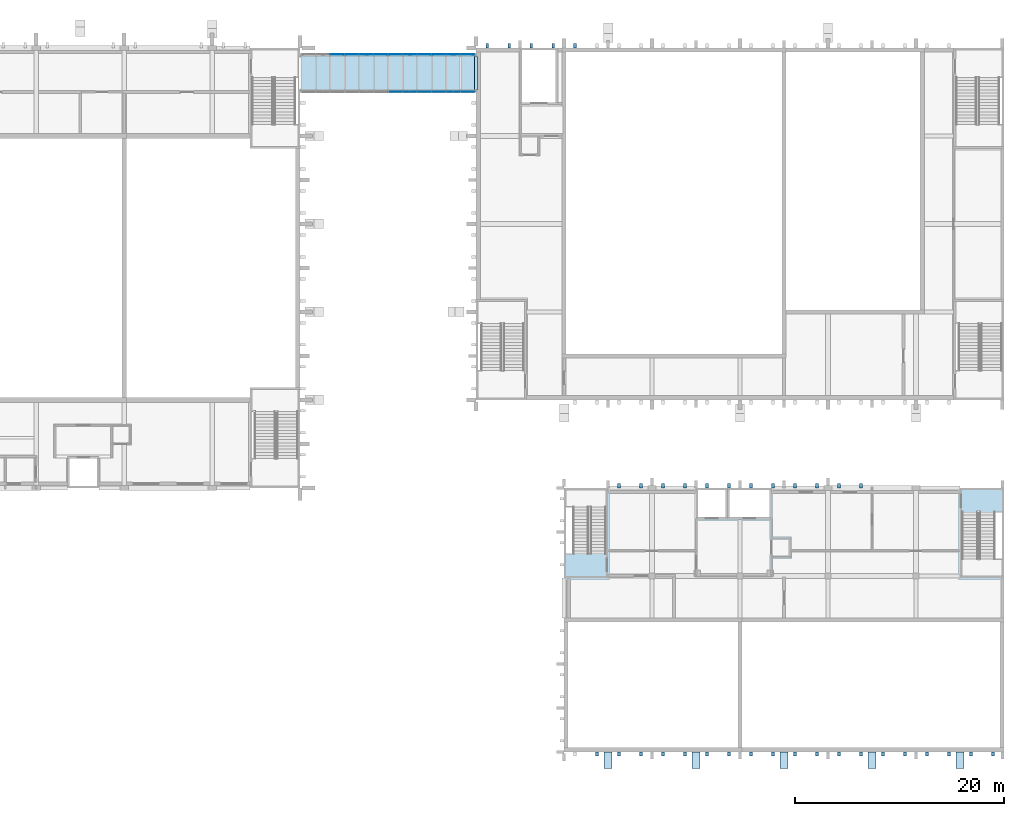
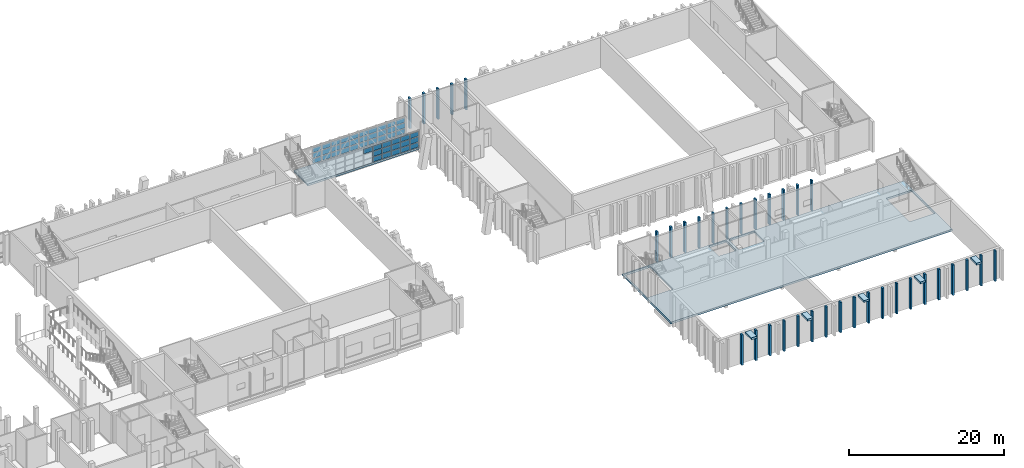
# One storey, part 26 of 91: 83 plates, 7 slabs, 2 elements without a shape of their own.
"""IFC4 building model written with IfcOpenShell, lengths in metres."""

from ifc_helpers import new_model, si_unit, direction, frame, origin, origin_2d, place, context, subcontext, project, spatial, polyline, rectangle, outline, extrude, material, layer, layer_set, type_object, element, aggregate, save


model = new_model("IFC4")

# Units and contexts
model_context = context("Model", 3, precision=1e-05, world=origin(), true_north=direction((0.0, 1.0)))
body_context = subcontext(model_context, "Body", "Model", "MODEL_VIEW")
ifc_project = project(units=[si_unit("LENGTHUNIT", "METRE"), si_unit("AREAUNIT", "SQUARE_METRE"), si_unit("VOLUMEUNIT", "CUBIC_METRE"), si_unit("PLANEANGLEUNIT", "RADIAN"), si_unit("MASSUNIT", "GRAM", prefix="KILO")], contexts=[model_context])

# Site, building, storey
site_placement = place(None, origin())
site = spatial("IfcSite", under=ifc_project, at=site_placement, CompositionType="ELEMENT")
building_placement = place(site_placement, origin())
building = spatial("IfcBuilding", under=site, at=building_placement, Name="Kiln Court Media Centre", CompositionType="ELEMENT")
storey_placement = place(building_placement, frame((0.0, 0.0, 5.39990234375)))
storey = spatial("IfcBuildingStorey", under=building, at=storey_placement, Name="L01", CompositionType="ELEMENT", Elevation=5.39990234375)

# Slabs
ifc_material_1 = material(Name="Concrete C30/37", Category="concrete")
ifc_layer_1 = layer(ifc_material_1, 0.300048828125)
ifc_layer_set_1 = layer_set([ifc_layer_1], Name="Concrete C30/37 bridge deck slab 300")
slab_type_1 = type_object("IfcSlabType", Name="Concrete C30/37 bridge deck slab 300", PredefinedType="FLOOR", material=ifc_layer_set_1)
slab_1_placement = place(storey_placement, frame((0.0, 0.0, -0.2998046875)))
element("IfcSlab", 1, at=slab_1_placement, inside=storey, type_object=slab_type_1, Name="bridge BR-3 deck bridge deck slab", PredefinedType="FLOOR", context=body_context, shape_type="SweptSolid", body=[
    extrude(outline(polyline([(100.89990234375, 63.0), (117.5, 63.0), (117.5, 66.60009765625), (100.89990234375, 66.60009765625), (100.89990234375, 63.0)])), origin(), (0.0, 0.0, 1.0), 0.2998046875),
])
ifc_material_2 = material(Name="Concrete C30/37", Category="concrete")
ifc_layer_2 = layer(ifc_material_2, 0.300048828125)
ifc_layer_set_2 = layer_set([ifc_layer_2], Name="Concrete C30/37 floor slab 300")
slab_type_2 = type_object("IfcSlabType", Name="Concrete C30/37 floor slab 300", PredefinedType="FLOOR", material=ifc_layer_set_2)
slab_2_placement = place(storey_placement, frame((0.0, 0.0, -0.2998046875)))
element("IfcSlab", 2, at=slab_2_placement, inside=storey, type_object=slab_type_2, Name="L01-SL-1008", PredefinedType="FLOOR", context=body_context, shape_type="SweptSolid", body=[
    extrude(outline(polyline([(126.0, 12.60009765625), (126.0, 25.199951171875), (168.0, 25.199951171875), (168.0, 12.60009765625), (126.0, 12.60009765625)]), holes=[polyline([(164.0, 16.800048828125), (167.800048828125, 16.800048828125), (167.800048828125, 22.860107421875), (164.0, 22.860107421875), (164.0, 16.800048828125)]), polyline([(126.199951171875, 18.93994140625), (130.0, 18.93994140625), (130.0, 25.0), (126.199951171875, 25.0), (126.199951171875, 18.93994140625)]), polyline([(138.800048828125, 22.39990234375), (141.39990234375, 22.39990234375), (141.39990234375, 25.0), (138.800048828125, 25.0), (138.800048828125, 22.39990234375)]), polyline([(141.800048828125, 22.39990234375), (145.60009765625, 22.39990234375), (145.60009765625, 25.0), (141.800048828125, 25.0), (141.800048828125, 22.39990234375)])]), origin(), (0.0, 0.0, 1.0), 0.2998046875),
])
ifc_material_3 = material(Name="Concrete C30/37", Category="concrete")
ifc_layer_3 = layer(ifc_material_3, 0.300048828125)
ifc_layer_set_3 = layer_set([ifc_layer_3], Name="Concrete C30/37 rib seat slab 300")
slab_type_3 = type_object("IfcSlabType", Name="Concrete C30/37 rib seat slab 300", PredefinedType="FLOOR", material=ifc_layer_set_3)
slab_3_placement = place(storey_placement, frame((0.0, 0.0, 4.5)))
element("IfcSlab", 3, at=slab_3_placement, inside=storey, type_object=slab_type_3, Name="V5 S rib seat slab 1", PredefinedType="FLOOR", context=body_context, shape_type="SweptSolid", body=[
    extrude(outline(polyline([(129.800048828125, 0.0), (130.60009765625, 0.0), (130.60009765625, -1.60009765625), (129.800048828125, -1.60009765625), (129.800048828125, 0.0)])), origin(), (0.0, 0.0, 1.0), 0.300048828125),
])
slab_4_placement = place(storey_placement, frame((0.0, 0.0, 4.5)))
element("IfcSlab", 4, at=slab_4_placement, inside=storey, type_object=slab_type_3, Name="V5 S rib seat slab 2", PredefinedType="FLOOR", context=body_context, shape_type="SweptSolid", body=[
    extrude(outline(polyline([(138.199951171875, 0.0), (139.0, 0.0), (139.0, -1.60009765625), (138.199951171875, -1.60009765625), (138.199951171875, 0.0)])), origin(), (0.0, 0.0, 1.0), 0.300048828125),
])
slab_5_placement = place(storey_placement, frame((0.0, 0.0, 4.5)))
element("IfcSlab", 5, at=slab_5_placement, inside=storey, type_object=slab_type_3, Name="V5 S rib seat slab 3", PredefinedType="FLOOR", context=body_context, shape_type="SweptSolid", body=[
    extrude(outline(polyline([(146.60009765625, 0.0), (147.39990234375, 0.0), (147.39990234375, -1.60009765625), (146.60009765625, -1.60009765625), (146.60009765625, 0.0)])), origin(), (0.0, 0.0, 1.0), 0.300048828125),
])
slab_6_placement = place(storey_placement, frame((0.0, 0.0, 4.5)))
element("IfcSlab", 6, at=slab_6_placement, inside=storey, type_object=slab_type_3, Name="V5 S rib seat slab 4", PredefinedType="FLOOR", context=body_context, shape_type="SweptSolid", body=[
    extrude(outline(polyline([(155.0, 0.0), (155.800048828125, 0.0), (155.800048828125, -1.60009765625), (155.0, -1.60009765625), (155.0, 0.0)])), origin(), (0.0, 0.0, 1.0), 0.300048828125),
])
slab_7_placement = place(storey_placement, frame((0.0, 0.0, 4.5)))
element("IfcSlab", 7, at=slab_7_placement, inside=storey, type_object=slab_type_3, Name="V5 S rib seat slab 5", PredefinedType="FLOOR", context=body_context, shape_type="SweptSolid", body=[
    extrude(outline(polyline([(163.39990234375, 0.0), (164.199951171875, 0.0), (164.199951171875, -1.60009765625), (163.39990234375, -1.60009765625), (163.39990234375, 0.0)])), origin(), (0.0, 0.0, 1.0), 0.300048828125),
])

# Plates
ifc_material_4 = material(Name="Concrete C40/50", Category="concrete")
ifc_layer_4 = layer(ifc_material_4, 0.25)
ifc_layer_set_4 = layer_set([ifc_layer_4], Name="Concrete C40/50 shading fin 250")
plate_type_1 = type_object("IfcPlateType", Name="Concrete C40/50 shading fin 250", PredefinedType="SHEET", material=ifc_layer_set_4)
for number, where, z_axis, x_axis, name in (
    (8, (118.64990234375, 67.425048828125, 0.0), (0.0, 0.0, 1.0), (1.0, 0.0, 0.0), "V2 N fin L01"),
    (9, (120.75, 67.425048828125, 0.0), (0.0, 0.0, 1.0), (1.0, 0.0, 0.0), "V2 N fin L01"),
    (10, (122.85009765625, 67.425048828125, 0.0), (0.0, 0.0, 1.0), (1.0, 0.0, 0.0), "V2 N fin L01"),
    (11, (124.949951171875, 67.425048828125, 0.0), (0.0, 0.0, 1.0), (1.0, 0.0, 0.0), "V2 N fin L01"),
    (12, (127.050048828125, 67.425048828125, 0.0), (0.0, 0.0, 1.0), (1.0, 0.0, 0.0), "V2 N fin L01"),
):
    element("IfcPlate", number, at=place(storey_placement, frame(where, z_axis=z_axis, x_axis=x_axis)), inside=storey, type_object=plate_type_1, Name=name, PredefinedType="SHEET", context=body_context, shape_type="SweptSolid", body=[
        extrude(rectangle(XDim=0.25, YDim=0.449951171875, at=origin_2d()), origin(), (0.0, 0.0, 1.0), 4.800048828125),
    ])
for number, where, z_axis, x_axis, name in (
    (13, (129.14990234375, -0.199951171875, 0.0), (0.0, 0.0, 1.0), (1.0, 0.0, 0.0), "V5 S fin L01"),
    (14, (131.25, -0.199951171875, 0.0), (0.0, 0.0, 1.0), (1.0, 0.0, 0.0), "V5 S fin L01"),
    (15, (133.35009765625, -0.199951171875, 0.0), (0.0, 0.0, 1.0), (1.0, 0.0, 0.0), "V5 S fin L01"),
    (16, (135.449951171875, -0.199951171875, 0.0), (0.0, 0.0, 1.0), (1.0, 0.0, 0.0), "V5 S fin L01"),
    (17, (137.550048828125, -0.199951171875, 0.0), (0.0, 0.0, 1.0), (1.0, 0.0, 0.0), "V5 S fin L01"),
    (18, (139.64990234375, -0.199951171875, 0.0), (0.0, 0.0, 1.0), (1.0, 0.0, 0.0), "V5 S fin L01"),
    (19, (141.75, -0.199951171875, 0.0), (0.0, 0.0, 1.0), (1.0, 0.0, 0.0), "V5 S fin L01"),
    (20, (143.85009765625, -0.199951171875, 0.0), (0.0, 0.0, 1.0), (1.0, 0.0, 0.0), "V5 S fin L01"),
    (21, (145.949951171875, -0.199951171875, 0.0), (0.0, 0.0, 1.0), (1.0, 0.0, 0.0), "V5 S fin L01"),
    (22, (148.050048828125, -0.199951171875, 0.0), (0.0, 0.0, 1.0), (1.0, 0.0, 0.0), "V5 S fin L01"),
    (23, (150.14990234375, -0.199951171875, 0.0), (0.0, 0.0, 1.0), (1.0, 0.0, 0.0), "V5 S fin L01"),
    (24, (152.25, -0.199951171875, 0.0), (0.0, 0.0, 1.0), (1.0, 0.0, 0.0), "V5 S fin L01"),
    (25, (154.35009765625, -0.199951171875, 0.0), (0.0, 0.0, 1.0), (1.0, 0.0, 0.0), "V5 S fin L01"),
    (26, (156.449951171875, -0.199951171875, 0.0), (0.0, 0.0, 1.0), (1.0, 0.0, 0.0), "V5 S fin L01"),
    (27, (158.550048828125, -0.199951171875, 0.0), (0.0, 0.0, 1.0), (1.0, 0.0, 0.0), "V5 S fin L01"),
    (28, (160.64990234375, -0.199951171875, 0.0), (0.0, 0.0, 1.0), (1.0, 0.0, 0.0), "V5 S fin L01"),
    (29, (162.75, -0.199951171875, 0.0), (0.0, 0.0, 1.0), (1.0, 0.0, 0.0), "V5 S fin L01"),
    (30, (164.85009765625, -0.199951171875, 0.0), (0.0, 0.0, 1.0), (1.0, 0.0, 0.0), "V5 S fin L01"),
    (31, (166.949951171875, -0.199951171875, 0.0), (0.0, 0.0, 1.0), (1.0, 0.0, 0.0), "V5 S fin L01"),
    (32, (131.25, 25.39990234375, 0.0), (0.0, 0.0, 1.0), (1.0, 0.0, 0.0), "V5 N fin L01"),
    (33, (133.35009765625, 25.39990234375, 0.0), (0.0, 0.0, 1.0), (1.0, 0.0, 0.0), "V5 N fin L01"),
    (34, (135.449951171875, 25.39990234375, 0.0), (0.0, 0.0, 1.0), (1.0, 0.0, 0.0), "V5 N fin L01"),
    (35, (137.550048828125, 25.39990234375, 0.0), (0.0, 0.0, 1.0), (1.0, 0.0, 0.0), "V5 N fin L01"),
    (36, (139.64990234375, 25.39990234375, 0.0), (0.0, 0.0, 1.0), (1.0, 0.0, 0.0), "V5 N fin L01"),
    (37, (141.75, 25.39990234375, 0.0), (0.0, 0.0, 1.0), (1.0, 0.0, 0.0), "V5 N fin L01"),
    (38, (143.85009765625, 25.39990234375, 0.0), (0.0, 0.0, 1.0), (1.0, 0.0, 0.0), "V5 N fin L01"),
    (39, (145.949951171875, 25.39990234375, 0.0), (0.0, 0.0, 1.0), (1.0, 0.0, 0.0), "V5 N fin L01"),
    (40, (148.050048828125, 25.39990234375, 0.0), (0.0, 0.0, 1.0), (1.0, 0.0, 0.0), "V5 N fin L01"),
    (41, (150.14990234375, 25.39990234375, 0.0), (0.0, 0.0, 1.0), (1.0, 0.0, 0.0), "V5 N fin L01"),
    (42, (152.25, 25.39990234375, 0.0), (0.0, 0.0, 1.0), (1.0, 0.0, 0.0), "V5 N fin L01"),
    (43, (154.35009765625, 25.39990234375, 0.0), (0.0, 0.0, 1.0), (1.0, 0.0, 0.0), "V5 N fin L01"),
):
    element("IfcPlate", number, at=place(storey_placement, frame(where, z_axis=z_axis, x_axis=x_axis)), inside=storey, type_object=plate_type_1, Name=name, PredefinedType="SHEET", context=body_context, shape_type="SweptSolid", body=[
        extrude(rectangle(XDim=0.25, YDim=0.39990234375, at=origin_2d()), origin(), (0.0, 0.0, 1.0), 4.800048828125),
    ])

# Curtain wall, plates
ifc_material_5 = material(Name="Aluminium 6063-T6", Category="aluminium")
ifc_layer_5 = layer(ifc_material_5, 0.1201171875)
ifc_layer_set_5 = layer_set([ifc_layer_5], Name="Aluminium unitised curtain wall, bridge")
curtain_wall_type = type_object("IfcCurtainWallType", Name="Aluminium unitised curtain wall, bridge", PredefinedType="USERDEFINED", material=ifc_layer_set_5)
curtain_wall_1_placement = place(storey_placement, origin())
curtain_wall_1 = element("IfcCurtainWall", 44, at=curtain_wall_1_placement, inside=storey, type_object=curtain_wall_type, Name="BR-3 side glazing", ObjectType="UNITISED CURTAIN WALL", PredefinedType="USERDEFINED")
ifc_material_6 = material(Name="Aluminium insulated spandrel", Category="aluminium")
ifc_layer_6 = layer(ifc_material_6, 0.028076171875)
ifc_layer_set_6 = layer_set([ifc_layer_6], Name="Insulated aluminium spandrel panel 28")
plate_type_2 = type_object("IfcPlateType", Name="Insulated aluminium spandrel panel 28", PredefinedType="CURTAIN_PANEL", material=ifc_layer_set_6)
plate_1_placement = place(storey_placement, frame((109.8916015625, 63.014892578125, 1.83349609375), z_axis=(0.0, 0.0, 1.0), x_axis=(1.0, 0.0, 0.0)))
plate_1 = element("IfcPlate", 45, at=plate_1_placement, type_object=plate_type_2, Name="CW1-63 panel 7.3", PredefinedType="CURTAIN_PANEL", context=body_context, shape_type="SweptSolid", body=[
    extrude(rectangle(XDim=1.333251953125, YDim=0.028076171875, at=origin_2d()), origin(), (0.0, 0.0, 1.0), 0.74169921875),
])
plate_2_placement = place(storey_placement, frame((111.27490234375, 63.014892578125, 0.10009765625), z_axis=(0.0, 0.0, 1.0), x_axis=(1.0, 0.0, 0.0)))
plate_2 = element("IfcPlate", 46, at=plate_2_placement, type_object=plate_type_2, Name="CW1-63 panel 8.1", PredefinedType="CURTAIN_PANEL", context=body_context, shape_type="SweptSolid", body=[
    extrude(rectangle(XDim=1.333251953125, YDim=0.028076171875, at=origin_2d()), origin(), (0.0, 0.0, 1.0), 0.74169921875),
])
plate_3_placement = place(storey_placement, frame((111.27490234375, 63.014892578125, 1.83349609375), z_axis=(0.0, 0.0, 1.0), x_axis=(1.0, 0.0, 0.0)))
plate_3 = element("IfcPlate", 47, at=plate_3_placement, type_object=plate_type_2, Name="CW1-63 panel 8.3", PredefinedType="CURTAIN_PANEL", context=body_context, shape_type="SweptSolid", body=[
    extrude(rectangle(XDim=1.333251953125, YDim=0.028076171875, at=origin_2d()), origin(), (0.0, 0.0, 1.0), 0.74169921875),
])
plate_4_placement = place(storey_placement, frame((112.658447265625, 63.014892578125, 0.10009765625), z_axis=(0.0, 0.0, 1.0), x_axis=(1.0, 0.0, 0.0)))
plate_4 = element("IfcPlate", 48, at=plate_4_placement, type_object=plate_type_2, Name="CW1-63 panel 9.1", PredefinedType="CURTAIN_PANEL", context=body_context, shape_type="SweptSolid", body=[
    extrude(rectangle(XDim=1.333251953125, YDim=0.028076171875, at=origin_2d()), origin(), (0.0, 0.0, 1.0), 0.74169921875),
])
plate_5_placement = place(storey_placement, frame((112.658447265625, 63.014892578125, 0.94189453125), z_axis=(0.0, 0.0, 1.0), x_axis=(1.0, 0.0, 0.0)))
plate_5 = element("IfcPlate", 49, at=plate_5_placement, type_object=plate_type_2, Name="CW1-63 panel 9.2", PredefinedType="CURTAIN_PANEL", context=body_context, shape_type="SweptSolid", body=[
    extrude(rectangle(XDim=1.333251953125, YDim=0.028076171875, at=origin_2d()), origin(), (0.0, 0.0, 1.0), 0.79150390625),
])
plate_6_placement = place(storey_placement, frame((114.041748046875, 63.014892578125, 0.10009765625), z_axis=(0.0, 0.0, 1.0), x_axis=(1.0, 0.0, 0.0)))
plate_6 = element("IfcPlate", 50, at=plate_6_placement, type_object=plate_type_2, Name="CW1-63 panel 10.1", PredefinedType="CURTAIN_PANEL", context=body_context, shape_type="SweptSolid", body=[
    extrude(rectangle(XDim=1.333251953125, YDim=0.028076171875, at=origin_2d()), origin(), (0.0, 0.0, 1.0), 0.74169921875),
])
plate_7_placement = place(storey_placement, frame((114.041748046875, 63.014892578125, 0.94189453125), z_axis=(0.0, 0.0, 1.0), x_axis=(1.0, 0.0, 0.0)))
plate_7 = element("IfcPlate", 51, at=plate_7_placement, type_object=plate_type_2, Name="CW1-63 panel 10.2", PredefinedType="CURTAIN_PANEL", context=body_context, shape_type="SweptSolid", body=[
    extrude(rectangle(XDim=1.333251953125, YDim=0.028076171875, at=origin_2d()), origin(), (0.0, 0.0, 1.0), 0.79150390625),
])
plate_8_placement = place(storey_placement, frame((114.041748046875, 63.014892578125, 1.83349609375), z_axis=(0.0, 0.0, 1.0), x_axis=(1.0, 0.0, 0.0)))
plate_8 = element("IfcPlate", 52, at=plate_8_placement, type_object=plate_type_2, Name="CW1-63 panel 10.3", PredefinedType="CURTAIN_PANEL", context=body_context, shape_type="SweptSolid", body=[
    extrude(rectangle(XDim=1.333251953125, YDim=0.028076171875, at=origin_2d()), origin(), (0.0, 0.0, 1.0), 0.74169921875),
])
plate_9_placement = place(storey_placement, frame((115.425048828125, 63.014892578125, 0.10009765625), z_axis=(0.0, 0.0, 1.0), x_axis=(1.0, 0.0, 0.0)))
plate_9 = element("IfcPlate", 53, at=plate_9_placement, type_object=plate_type_2, Name="CW1-63 panel 11.1", PredefinedType="CURTAIN_PANEL", context=body_context, shape_type="SweptSolid", body=[
    extrude(rectangle(XDim=1.333251953125, YDim=0.028076171875, at=origin_2d()), origin(), (0.0, 0.0, 1.0), 0.74169921875),
])
plate_10_placement = place(storey_placement, frame((115.425048828125, 63.014892578125, 1.83349609375), z_axis=(0.0, 0.0, 1.0), x_axis=(1.0, 0.0, 0.0)))
plate_10 = element("IfcPlate", 54, at=plate_10_placement, type_object=plate_type_2, Name="CW1-63 panel 11.3", PredefinedType="CURTAIN_PANEL", context=body_context, shape_type="SweptSolid", body=[
    extrude(rectangle(XDim=1.333251953125, YDim=0.028076171875, at=origin_2d()), origin(), (0.0, 0.0, 1.0), 0.74169921875),
])
plate_11_placement = place(storey_placement, frame((116.7958984375, 63.014892578125, 0.10009765625), z_axis=(0.0, 0.0, 1.0), x_axis=(1.0, 0.0, 0.0)))
plate_11 = element("IfcPlate", 55, at=plate_11_placement, type_object=plate_type_2, Name="CW1-63 panel 12.1", PredefinedType="CURTAIN_PANEL", context=body_context, shape_type="SweptSolid", body=[
    extrude(rectangle(XDim=1.308349609375, YDim=0.028076171875, at=origin_2d()), origin(), (0.0, 0.0, 1.0), 0.74169921875),
])
plate_12_placement = place(storey_placement, frame((116.7958984375, 63.014892578125, 0.94189453125), z_axis=(0.0, 0.0, 1.0), x_axis=(1.0, 0.0, 0.0)))
plate_12 = element("IfcPlate", 56, at=plate_12_placement, type_object=plate_type_2, Name="CW1-63 panel 12.2", PredefinedType="CURTAIN_PANEL", context=body_context, shape_type="SweptSolid", body=[
    extrude(rectangle(XDim=1.308349609375, YDim=0.028076171875, at=origin_2d()), origin(), (0.0, 0.0, 1.0), 0.79150390625),
])

curtain_wall_2_placement = place(storey_placement, origin())
curtain_wall_2 = element("IfcCurtainWall", 57, at=curtain_wall_2_placement, inside=storey, type_object=curtain_wall_type, Name="BR-3 side glazing", ObjectType="UNITISED CURTAIN WALL", PredefinedType="USERDEFINED")
plate_13_placement = place(storey_placement, frame((104.3583984375, 66.5849609375, 0.10009765625), z_axis=(0.0, 0.0, 1.0), x_axis=(1.0, 0.0, 0.0)))
plate_13 = element("IfcPlate", 58, at=plate_13_placement, type_object=plate_type_2, Name="CW1-64 panel 3.1", PredefinedType="CURTAIN_PANEL", context=body_context, shape_type="SweptSolid", body=[
    extrude(rectangle(XDim=1.333251953125, YDim=0.028076171875, at=origin_2d()), origin(), (0.0, 0.0, 1.0), 0.74169921875),
])
plate_14_placement = place(storey_placement, frame((104.3583984375, 66.5849609375, 0.94189453125), z_axis=(0.0, 0.0, 1.0), x_axis=(1.0, 0.0, 0.0)))
plate_14 = element("IfcPlate", 59, at=plate_14_placement, type_object=plate_type_2, Name="CW1-64 panel 3.2", PredefinedType="CURTAIN_PANEL", context=body_context, shape_type="SweptSolid", body=[
    extrude(rectangle(XDim=1.333251953125, YDim=0.028076171875, at=origin_2d()), origin(), (0.0, 0.0, 1.0), 0.79150390625),
])
plate_15_placement = place(storey_placement, frame((104.3583984375, 66.5849609375, 1.83349609375), z_axis=(0.0, 0.0, 1.0), x_axis=(1.0, 0.0, 0.0)))
plate_15 = element("IfcPlate", 60, at=plate_15_placement, type_object=plate_type_2, Name="CW1-64 panel 3.3", PredefinedType="CURTAIN_PANEL", context=body_context, shape_type="SweptSolid", body=[
    extrude(rectangle(XDim=1.333251953125, YDim=0.028076171875, at=origin_2d()), origin(), (0.0, 0.0, 1.0), 0.74169921875),
])
plate_16_placement = place(storey_placement, frame((105.74169921875, 66.5849609375, 0.10009765625), z_axis=(0.0, 0.0, 1.0), x_axis=(1.0, 0.0, 0.0)))
plate_16 = element("IfcPlate", 61, at=plate_16_placement, type_object=plate_type_2, Name="CW1-64 panel 4.1", PredefinedType="CURTAIN_PANEL", context=body_context, shape_type="SweptSolid", body=[
    extrude(rectangle(XDim=1.333251953125, YDim=0.028076171875, at=origin_2d()), origin(), (0.0, 0.0, 1.0), 0.74169921875),
])
plate_17_placement = place(storey_placement, frame((105.74169921875, 66.5849609375, 0.94189453125), z_axis=(0.0, 0.0, 1.0), x_axis=(1.0, 0.0, 0.0)))
plate_17 = element("IfcPlate", 62, at=plate_17_placement, type_object=plate_type_2, Name="CW1-64 panel 4.2", PredefinedType="CURTAIN_PANEL", context=body_context, shape_type="SweptSolid", body=[
    extrude(rectangle(XDim=1.333251953125, YDim=0.028076171875, at=origin_2d()), origin(), (0.0, 0.0, 1.0), 0.79150390625),
])
plate_18_placement = place(storey_placement, frame((107.125, 66.5849609375, 0.10009765625), z_axis=(0.0, 0.0, 1.0), x_axis=(1.0, 0.0, 0.0)))
plate_18 = element("IfcPlate", 63, at=plate_18_placement, type_object=plate_type_2, Name="CW1-64 panel 5.1", PredefinedType="CURTAIN_PANEL", context=body_context, shape_type="SweptSolid", body=[
    extrude(rectangle(XDim=1.333251953125, YDim=0.028076171875, at=origin_2d()), origin(), (0.0, 0.0, 1.0), 0.74169921875),
])
plate_19_placement = place(storey_placement, frame((107.125, 66.5849609375, 1.83349609375), z_axis=(0.0, 0.0, 1.0), x_axis=(1.0, 0.0, 0.0)))
plate_19 = element("IfcPlate", 64, at=plate_19_placement, type_object=plate_type_2, Name="CW1-64 panel 5.3", PredefinedType="CURTAIN_PANEL", context=body_context, shape_type="SweptSolid", body=[
    extrude(rectangle(XDim=1.333251953125, YDim=0.028076171875, at=origin_2d()), origin(), (0.0, 0.0, 1.0), 0.74169921875),
])
plate_20_placement = place(storey_placement, frame((108.50830078125, 66.5849609375, 0.10009765625), z_axis=(0.0, 0.0, 1.0), x_axis=(1.0, 0.0, 0.0)))
plate_20 = element("IfcPlate", 65, at=plate_20_placement, type_object=plate_type_2, Name="CW1-64 panel 6.1", PredefinedType="CURTAIN_PANEL", context=body_context, shape_type="SweptSolid", body=[
    extrude(rectangle(XDim=1.333251953125, YDim=0.028076171875, at=origin_2d()), origin(), (0.0, 0.0, 1.0), 0.74169921875),
])
plate_21_placement = place(storey_placement, frame((108.50830078125, 66.5849609375, 0.94189453125), z_axis=(0.0, 0.0, 1.0), x_axis=(1.0, 0.0, 0.0)))
plate_21 = element("IfcPlate", 66, at=plate_21_placement, type_object=plate_type_2, Name="CW1-64 panel 6.2", PredefinedType="CURTAIN_PANEL", context=body_context, shape_type="SweptSolid", body=[
    extrude(rectangle(XDim=1.333251953125, YDim=0.028076171875, at=origin_2d()), origin(), (0.0, 0.0, 1.0), 0.79150390625),
])
plate_22_placement = place(storey_placement, frame((108.50830078125, 66.5849609375, 1.83349609375), z_axis=(0.0, 0.0, 1.0), x_axis=(1.0, 0.0, 0.0)))
plate_22 = element("IfcPlate", 67, at=plate_22_placement, type_object=plate_type_2, Name="CW1-64 panel 6.3", PredefinedType="CURTAIN_PANEL", context=body_context, shape_type="SweptSolid", body=[
    extrude(rectangle(XDim=1.333251953125, YDim=0.028076171875, at=origin_2d()), origin(), (0.0, 0.0, 1.0), 0.74169921875),
])
plate_23_placement = place(storey_placement, frame((109.8916015625, 66.5849609375, 0.10009765625), z_axis=(0.0, 0.0, 1.0), x_axis=(1.0, 0.0, 0.0)))
plate_23 = element("IfcPlate", 68, at=plate_23_placement, type_object=plate_type_2, Name="CW1-64 panel 7.1", PredefinedType="CURTAIN_PANEL", context=body_context, shape_type="SweptSolid", body=[
    extrude(rectangle(XDim=1.333251953125, YDim=0.028076171875, at=origin_2d()), origin(), (0.0, 0.0, 1.0), 0.74169921875),
])
plate_24_placement = place(storey_placement, frame((109.8916015625, 66.5849609375, 0.94189453125), z_axis=(0.0, 0.0, 1.0), x_axis=(1.0, 0.0, 0.0)))
plate_24 = element("IfcPlate", 69, at=plate_24_placement, type_object=plate_type_2, Name="CW1-64 panel 7.2", PredefinedType="CURTAIN_PANEL", context=body_context, shape_type="SweptSolid", body=[
    extrude(rectangle(XDim=1.333251953125, YDim=0.028076171875, at=origin_2d()), origin(), (0.0, 0.0, 1.0), 0.79150390625),
])
plate_25_placement = place(storey_placement, frame((109.8916015625, 66.5849609375, 1.83349609375), z_axis=(0.0, 0.0, 1.0), x_axis=(1.0, 0.0, 0.0)))
plate_25 = element("IfcPlate", 70, at=plate_25_placement, type_object=plate_type_2, Name="CW1-64 panel 7.3", PredefinedType="CURTAIN_PANEL", context=body_context, shape_type="SweptSolid", body=[
    extrude(rectangle(XDim=1.333251953125, YDim=0.028076171875, at=origin_2d()), origin(), (0.0, 0.0, 1.0), 0.74169921875),
])
plate_26_placement = place(storey_placement, frame((111.27490234375, 66.5849609375, 0.10009765625), z_axis=(0.0, 0.0, 1.0), x_axis=(1.0, 0.0, 0.0)))
plate_26 = element("IfcPlate", 71, at=plate_26_placement, type_object=plate_type_2, Name="CW1-64 panel 8.1", PredefinedType="CURTAIN_PANEL", context=body_context, shape_type="SweptSolid", body=[
    extrude(rectangle(XDim=1.333251953125, YDim=0.028076171875, at=origin_2d()), origin(), (0.0, 0.0, 1.0), 0.74169921875),
])
plate_27_placement = place(storey_placement, frame((111.27490234375, 66.5849609375, 1.83349609375), z_axis=(0.0, 0.0, 1.0), x_axis=(1.0, 0.0, 0.0)))
plate_27 = element("IfcPlate", 72, at=plate_27_placement, type_object=plate_type_2, Name="CW1-64 panel 8.3", PredefinedType="CURTAIN_PANEL", context=body_context, shape_type="SweptSolid", body=[
    extrude(rectangle(XDim=1.333251953125, YDim=0.028076171875, at=origin_2d()), origin(), (0.0, 0.0, 1.0), 0.74169921875),
])
plate_28_placement = place(storey_placement, frame((112.658447265625, 66.5849609375, 0.10009765625), z_axis=(0.0, 0.0, 1.0), x_axis=(1.0, 0.0, 0.0)))
plate_28 = element("IfcPlate", 73, at=plate_28_placement, type_object=plate_type_2, Name="CW1-64 panel 9.1", PredefinedType="CURTAIN_PANEL", context=body_context, shape_type="SweptSolid", body=[
    extrude(rectangle(XDim=1.333251953125, YDim=0.028076171875, at=origin_2d()), origin(), (0.0, 0.0, 1.0), 0.74169921875),
])
plate_29_placement = place(storey_placement, frame((112.658447265625, 66.5849609375, 0.94189453125), z_axis=(0.0, 0.0, 1.0), x_axis=(1.0, 0.0, 0.0)))
plate_29 = element("IfcPlate", 74, at=plate_29_placement, type_object=plate_type_2, Name="CW1-64 panel 9.2", PredefinedType="CURTAIN_PANEL", context=body_context, shape_type="SweptSolid", body=[
    extrude(rectangle(XDim=1.333251953125, YDim=0.028076171875, at=origin_2d()), origin(), (0.0, 0.0, 1.0), 0.79150390625),
])
plate_30_placement = place(storey_placement, frame((114.041748046875, 66.5849609375, 0.10009765625), z_axis=(0.0, 0.0, 1.0), x_axis=(1.0, 0.0, 0.0)))
plate_30 = element("IfcPlate", 75, at=plate_30_placement, type_object=plate_type_2, Name="CW1-64 panel 10.1", PredefinedType="CURTAIN_PANEL", context=body_context, shape_type="SweptSolid", body=[
    extrude(rectangle(XDim=1.333251953125, YDim=0.028076171875, at=origin_2d()), origin(), (0.0, 0.0, 1.0), 0.74169921875),
])
plate_31_placement = place(storey_placement, frame((114.041748046875, 66.5849609375, 0.94189453125), z_axis=(0.0, 0.0, 1.0), x_axis=(1.0, 0.0, 0.0)))
plate_31 = element("IfcPlate", 76, at=plate_31_placement, type_object=plate_type_2, Name="CW1-64 panel 10.2", PredefinedType="CURTAIN_PANEL", context=body_context, shape_type="SweptSolid", body=[
    extrude(rectangle(XDim=1.333251953125, YDim=0.028076171875, at=origin_2d()), origin(), (0.0, 0.0, 1.0), 0.79150390625),
])
plate_32_placement = place(storey_placement, frame((114.041748046875, 66.5849609375, 1.83349609375), z_axis=(0.0, 0.0, 1.0), x_axis=(1.0, 0.0, 0.0)))
plate_32 = element("IfcPlate", 77, at=plate_32_placement, type_object=plate_type_2, Name="CW1-64 panel 10.3", PredefinedType="CURTAIN_PANEL", context=body_context, shape_type="SweptSolid", body=[
    extrude(rectangle(XDim=1.333251953125, YDim=0.028076171875, at=origin_2d()), origin(), (0.0, 0.0, 1.0), 0.74169921875),
])
plate_33_placement = place(storey_placement, frame((115.425048828125, 66.5849609375, 0.10009765625), z_axis=(0.0, 0.0, 1.0), x_axis=(1.0, 0.0, 0.0)))
plate_33 = element("IfcPlate", 78, at=plate_33_placement, type_object=plate_type_2, Name="CW1-64 panel 11.1", PredefinedType="CURTAIN_PANEL", context=body_context, shape_type="SweptSolid", body=[
    extrude(rectangle(XDim=1.333251953125, YDim=0.028076171875, at=origin_2d()), origin(), (0.0, 0.0, 1.0), 0.74169921875),
])
plate_34_placement = place(storey_placement, frame((115.425048828125, 66.5849609375, 1.83349609375), z_axis=(0.0, 0.0, 1.0), x_axis=(1.0, 0.0, 0.0)))
plate_34 = element("IfcPlate", 79, at=plate_34_placement, type_object=plate_type_2, Name="CW1-64 panel 11.3", PredefinedType="CURTAIN_PANEL", context=body_context, shape_type="SweptSolid", body=[
    extrude(rectangle(XDim=1.333251953125, YDim=0.028076171875, at=origin_2d()), origin(), (0.0, 0.0, 1.0), 0.74169921875),
])
plate_35_placement = place(storey_placement, frame((116.7958984375, 66.5849609375, 0.10009765625), z_axis=(0.0, 0.0, 1.0), x_axis=(1.0, 0.0, 0.0)))
plate_35 = element("IfcPlate", 80, at=plate_35_placement, type_object=plate_type_2, Name="CW1-64 panel 12.1", PredefinedType="CURTAIN_PANEL", context=body_context, shape_type="SweptSolid", body=[
    extrude(rectangle(XDim=1.308349609375, YDim=0.028076171875, at=origin_2d()), origin(), (0.0, 0.0, 1.0), 0.74169921875),
])
plate_36_placement = place(storey_placement, frame((116.7958984375, 66.5849609375, 0.94189453125), z_axis=(0.0, 0.0, 1.0), x_axis=(1.0, 0.0, 0.0)))
plate_36 = element("IfcPlate", 81, at=plate_36_placement, type_object=plate_type_2, Name="CW1-64 panel 12.2", PredefinedType="CURTAIN_PANEL", context=body_context, shape_type="SweptSolid", body=[
    extrude(rectangle(XDim=1.308349609375, YDim=0.028076171875, at=origin_2d()), origin(), (0.0, 0.0, 1.0), 0.79150390625),
])

# Plate
ifc_material_7 = material(Name="Laminated low-E glazing", Category="glass")
ifc_layer_7 = layer(ifc_material_7, 0.028076171875)
ifc_layer_set_7 = layer_set([ifc_layer_7], Name="Laminated low-E glazed panel 28")
plate_type_3 = type_object("IfcPlateType", Name="Laminated low-E glazed panel 28", PredefinedType="CURTAIN_PANEL", material=ifc_layer_set_7)
plate_37_placement = place(storey_placement, frame((111.27490234375, 63.014892578125, 0.94189453125), z_axis=(0.0, 0.0, 1.0), x_axis=(1.0, 0.0, 0.0)))
plate_37 = element("IfcPlate", 82, at=plate_37_placement, type_object=plate_type_3, Name="CW1-63 panel 8.2", PredefinedType="CURTAIN_PANEL", context=body_context, shape_type="SweptSolid", body=[
    extrude(rectangle(XDim=1.333251953125, YDim=0.028076171875, at=origin_2d()), origin(), (0.0, 0.0, 1.0), 0.79150390625),
])

plate_38_placement = place(storey_placement, frame((112.658447265625, 63.014892578125, 1.83349609375), z_axis=(0.0, 0.0, 1.0), x_axis=(1.0, 0.0, 0.0)))
plate_38 = element("IfcPlate", 83, at=plate_38_placement, type_object=plate_type_3, Name="CW1-63 panel 9.3", PredefinedType="CURTAIN_PANEL", context=body_context, shape_type="SweptSolid", body=[
    extrude(rectangle(XDim=1.333251953125, YDim=0.028076171875, at=origin_2d()), origin(), (0.0, 0.0, 1.0), 0.74169921875),
])

plate_39_placement = place(storey_placement, frame((115.425048828125, 63.014892578125, 0.94189453125), z_axis=(0.0, 0.0, 1.0), x_axis=(1.0, 0.0, 0.0)))
plate_39 = element("IfcPlate", 84, at=plate_39_placement, type_object=plate_type_3, Name="CW1-63 panel 11.2", PredefinedType="CURTAIN_PANEL", context=body_context, shape_type="SweptSolid", body=[
    extrude(rectangle(XDim=1.333251953125, YDim=0.028076171875, at=origin_2d()), origin(), (0.0, 0.0, 1.0), 0.79150390625),
])

plate_40_placement = place(storey_placement, frame((116.7958984375, 63.014892578125, 1.83349609375), z_axis=(0.0, 0.0, 1.0), x_axis=(1.0, 0.0, 0.0)))
plate_40 = element("IfcPlate", 85, at=plate_40_placement, type_object=plate_type_3, Name="CW1-63 panel 12.3", PredefinedType="CURTAIN_PANEL", context=body_context, shape_type="SweptSolid", body=[
    extrude(rectangle(XDim=1.308349609375, YDim=0.028076171875, at=origin_2d()), origin(), (0.0, 0.0, 1.0), 0.74169921875),
])

aggregate(curtain_wall_1, [plate_1, plate_2, plate_37, plate_3, plate_4, plate_5, plate_38, plate_6, plate_7, plate_8, plate_9, plate_39, plate_10, plate_11, plate_12, plate_40])

plate_41_placement = place(storey_placement, frame((105.74169921875, 66.5849609375, 1.83349609375), z_axis=(0.0, 0.0, 1.0), x_axis=(1.0, 0.0, 0.0)))
plate_41 = element("IfcPlate", 86, at=plate_41_placement, type_object=plate_type_3, Name="CW1-64 panel 4.3", PredefinedType="CURTAIN_PANEL", context=body_context, shape_type="SweptSolid", body=[
    extrude(rectangle(XDim=1.333251953125, YDim=0.028076171875, at=origin_2d()), origin(), (0.0, 0.0, 1.0), 0.74169921875),
])

plate_42_placement = place(storey_placement, frame((107.125, 66.5849609375, 0.94189453125), z_axis=(0.0, 0.0, 1.0), x_axis=(1.0, 0.0, 0.0)))
plate_42 = element("IfcPlate", 87, at=plate_42_placement, type_object=plate_type_3, Name="CW1-64 panel 5.2", PredefinedType="CURTAIN_PANEL", context=body_context, shape_type="SweptSolid", body=[
    extrude(rectangle(XDim=1.333251953125, YDim=0.028076171875, at=origin_2d()), origin(), (0.0, 0.0, 1.0), 0.79150390625),
])

plate_43_placement = place(storey_placement, frame((111.27490234375, 66.5849609375, 0.94189453125), z_axis=(0.0, 0.0, 1.0), x_axis=(1.0, 0.0, 0.0)))
plate_43 = element("IfcPlate", 88, at=plate_43_placement, type_object=plate_type_3, Name="CW1-64 panel 8.2", PredefinedType="CURTAIN_PANEL", context=body_context, shape_type="SweptSolid", body=[
    extrude(rectangle(XDim=1.333251953125, YDim=0.028076171875, at=origin_2d()), origin(), (0.0, 0.0, 1.0), 0.79150390625),
])

plate_44_placement = place(storey_placement, frame((112.658447265625, 66.5849609375, 1.83349609375), z_axis=(0.0, 0.0, 1.0), x_axis=(1.0, 0.0, 0.0)))
plate_44 = element("IfcPlate", 89, at=plate_44_placement, type_object=plate_type_3, Name="CW1-64 panel 9.3", PredefinedType="CURTAIN_PANEL", context=body_context, shape_type="SweptSolid", body=[
    extrude(rectangle(XDim=1.333251953125, YDim=0.028076171875, at=origin_2d()), origin(), (0.0, 0.0, 1.0), 0.74169921875),
])

plate_45_placement = place(storey_placement, frame((115.425048828125, 66.5849609375, 0.94189453125), z_axis=(0.0, 0.0, 1.0), x_axis=(1.0, 0.0, 0.0)))
plate_45 = element("IfcPlate", 90, at=plate_45_placement, type_object=plate_type_3, Name="CW1-64 panel 11.2", PredefinedType="CURTAIN_PANEL", context=body_context, shape_type="SweptSolid", body=[
    extrude(rectangle(XDim=1.333251953125, YDim=0.028076171875, at=origin_2d()), origin(), (0.0, 0.0, 1.0), 0.79150390625),
])

plate_46_placement = place(storey_placement, frame((116.7958984375, 66.5849609375, 1.83349609375), z_axis=(0.0, 0.0, 1.0), x_axis=(1.0, 0.0, 0.0)))
plate_46 = element("IfcPlate", 91, at=plate_46_placement, type_object=plate_type_3, Name="CW1-64 panel 12.3", PredefinedType="CURTAIN_PANEL", context=body_context, shape_type="SweptSolid", body=[
    extrude(rectangle(XDim=1.308349609375, YDim=0.028076171875, at=origin_2d()), origin(), (0.0, 0.0, 1.0), 0.74169921875),
])

aggregate(curtain_wall_2, [plate_13, plate_14, plate_15, plate_16, plate_17, plate_41, plate_18, plate_42, plate_19, plate_20, plate_21, plate_22, plate_23, plate_24, plate_25, plate_26, plate_43, plate_27, plate_28, plate_29, plate_44, plate_30, plate_31, plate_32, plate_33, plate_45, plate_34, plate_35, plate_36, plate_46])

ifc_material_8 = material(Name="Steel ASTM A572 Gr 50", Category="steel")
ifc_layer_8 = layer(ifc_material_8, 0.010009765625)
ifc_layer_set_8 = layer_set([ifc_layer_8], Name="Steel ASTM A572 Gr 50 300x3200x10 movement joint cover plate")
plate_type_4 = type_object("IfcPlateType", Name="Steel ASTM A572 Gr 50 300x3200x10 movement joint cover plate", PredefinedType="USERDEFINED", material=ifc_layer_set_8)
plate_47_placement = place(storey_placement, frame((117.60009765625, 64.800048828125, -0.001953125), z_axis=(0.0, 0.0, 1.0), x_axis=(1.0, 0.0, 0.0)))
element("IfcPlate", 92, at=plate_47_placement, inside=storey, type_object=plate_type_4, Name="bridge BR-3 joint 2 movement joint cover plate", ObjectType="MOVEMENT JOINT COVER PLATE", PredefinedType="USERDEFINED", context=body_context, shape_type="SweptSolid", body=[
    extrude(rectangle(XDim=0.300048828125, YDim=3.199951171875, at=origin_2d()), origin(), (0.0, 0.0, 1.0), 0.010009765625),
])

save(model, "model.ifc")
